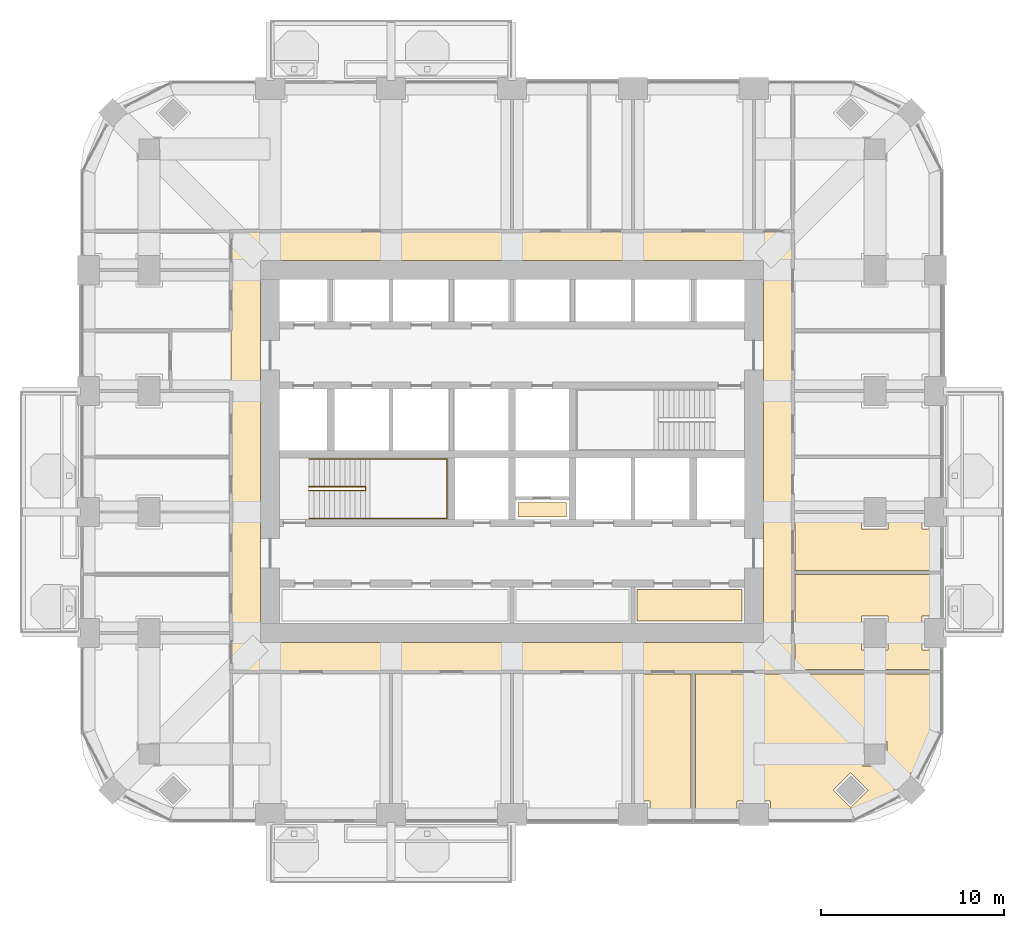
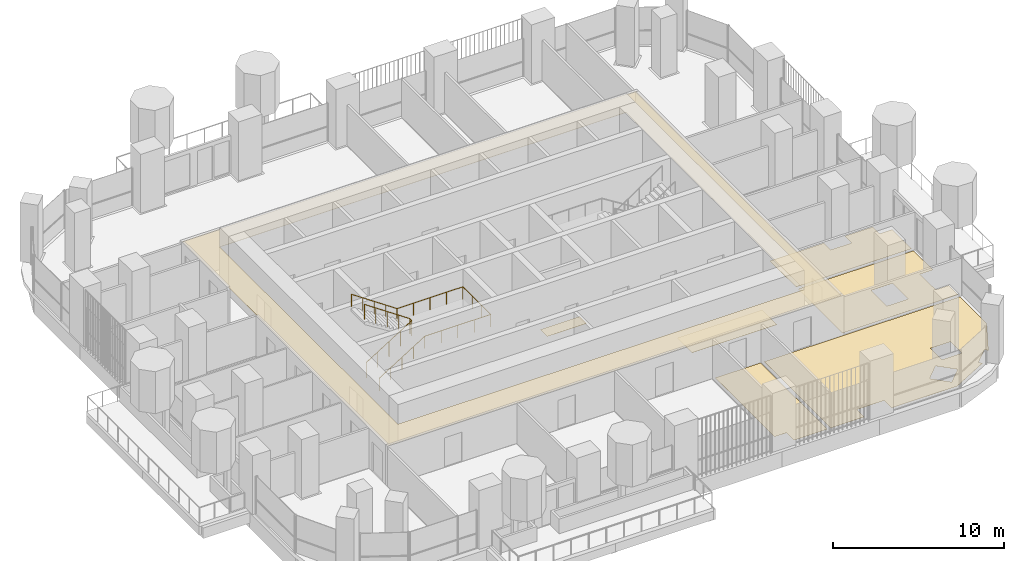
# One storey, part 17 of 20: 7 coverings, 2 railings.
"""IFC4 building model written with IfcOpenShell, lengths in metres."""

from ifc_helpers import new_model, si_unit, direction, frame, origin, place, context, subcontext, project, spatial, polyline, outline, extrude, material, layer, layer_set, type_object, element, save


model = new_model("IFC4")

# Units and contexts
model_context = context("Model", 3, precision=1e-05, world=origin(), true_north=direction((0.0, 1.0)))
body_context = subcontext(model_context, "Body", "Model", "MODEL_VIEW")
ifc_project = project(units=[si_unit("LENGTHUNIT", "METRE"), si_unit("AREAUNIT", "SQUARE_METRE"), si_unit("VOLUMEUNIT", "CUBIC_METRE"), si_unit("PLANEANGLEUNIT", "RADIAN"), si_unit("MASSUNIT", "GRAM", prefix="KILO")], contexts=[model_context])

# Site, building, storey
site_placement = place(None, origin())
site = spatial("IfcSite", under=ifc_project, at=site_placement, CompositionType="ELEMENT")
building_placement = place(site_placement, origin())
building = spatial("IfcBuilding", under=site, at=building_placement, Name="Cobogo Forest Laboratory Tower", CompositionType="ELEMENT")
storey_placement = place(building_placement, frame((0.0, 0.0, 185.10009765625)))
storey = spatial("IfcBuildingStorey", under=building, at=storey_placement, Name="L42", CompositionType="ELEMENT", Elevation=185.10009765625)

# Coverings
ifc_material_1 = material(Name="Mineral fibre ceiling tile", Category="ceiling")
ifc_layer_1 = layer(ifc_material_1, 0.02001953125)
ifc_layer_set_1 = layer_set([ifc_layer_1], Name="CL1 suspended ceiling")
covering_type_1 = type_object("IfcCoveringType", Name="CL1 suspended ceiling", PredefinedType="CEILING", material=ifc_layer_set_1)
covering_1_placement = place(storey_placement, frame((0.0, 0.0, 2.7998046875)))
element("IfcCovering", 1, at=covering_1_placement, inside=storey, type_object=covering_type_1, Name="Corridor ceiling L42", PredefinedType="CEILING", context=body_context, shape_type="SweptSolid", body=[
    extrude(outline(polyline([(11.074951171875, 11.074951171875), (11.074951171875, 35.125), (41.72509765625, 35.125), (41.72509765625, 11.074951171875), (11.074951171875, 11.074951171875)]), holes=[polyline([(40.125, 33.52490234375), (12.675048828125, 33.52490234375), (12.675048828125, 12.675048828125), (40.125, 12.675048828125), (40.125, 33.52490234375)])]), origin(), (0.0, 0.0, 1.0), 0.02001953125),
])
ifc_material_2 = material(Name="Carpet tile on raised access floor", Category="flooring")
ifc_layer_2 = layer(ifc_material_2, 0.008056640625)
ifc_layer_set_2 = layer_set([ifc_layer_2], Name="CT1 carpet tile floor 8")
covering_type_2 = type_object("IfcCoveringType", Name="CT1 carpet tile floor 8", PredefinedType="FLOORING", material=ifc_layer_set_2)
covering_2_placement = place(storey_placement, origin())
element("IfcCovering", 2, at=covering_2_placement, inside=storey, type_object=covering_type_2, Name="Carpet floor L42-31", PredefinedType="FLOORING", context=body_context, shape_type="SweptSolid", body=[
    extrude(outline(polyline([(29.3798828125, 19.52001953125), (26.719970703125, 19.52001953125), (26.719970703125, 20.330078125), (29.3798828125, 20.330078125), (29.3798828125, 19.52001953125)])), origin(), (0.0, 0.0, 1.0), 0.0078125),
])

# Railings
ifc_material_3 = material(Name="Steel balustrade", Category="steel")
railing_type_1 = type_object("IfcRailingType", Name="GR stair guard 1100", PredefinedType="GUARDRAIL", material=ifc_material_3)
railing_1_placement = place(storey_placement, frame((15.324951171875, 20.969970703125, 0.1748046875)))
element("IfcRailing", 3, at=railing_1_placement, inside=storey, type_object=railing_type_1, Name="Stair guard ST1 L42", PredefinedType="GUARDRAIL", context=body_context, shape_type="SweptSolid", body=[
    extrude(outline(polyline([(0.022216796875, 0.00927734375), (0.00927734375, 0.022216796875), (-0.00927734375, 0.022216796875), (-0.022216796875, 0.00927734375), (-0.022216796875, -0.00927734375), (-0.00927734375, -0.022216796875), (0.00927734375, -0.022216796875), (0.022216796875, -0.00927734375), (0.022216796875, 0.00927734375)])), frame((0.0, 0.0, 1.077880859375), z_axis=(0.847998304005, 0.0, 0.529998940003), x_axis=(0.0, 1.0, 0.0)), (0.0, 0.0, 1.0), 3.632080078125),
    extrude(outline(polyline([(0.022216796875, 0.00927734375), (0.00927734375, 0.022216796875), (-0.00927734375, 0.022216796875), (-0.022216796875, 0.00927734375), (-0.022216796875, -0.00927734375), (-0.00927734375, -0.022216796875), (0.00927734375, -0.022216796875), (0.022216796875, -0.00927734375), (0.022216796875, 0.00927734375)])), frame((3.080078125, 0.0, 3.0029296875), z_axis=(0.0, 1.0, 0.0), x_axis=(-1.0, 0.0, 0.0)), (0.0, 0.0, 1.0), 0.2099609375),
    extrude(outline(polyline([(0.022216796875, 0.00927734375), (0.00927734375, 0.022216796875), (-0.00927734375, 0.022216796875), (-0.022216796875, 0.00927734375), (-0.022216796875, -0.00927734375), (-0.00927734375, -0.022216796875), (0.00927734375, -0.022216796875), (0.022216796875, -0.00927734375), (0.022216796875, 0.00927734375)])), frame((3.080078125, 0.2099609375, 3.0029296875), z_axis=(-0.826221800596, 0.0, 0.563344953133), x_axis=(0.0, -1.0, 0.0)), (0.0, 0.0, 1.0), 3.72802734375),
    extrude(outline(polyline([(0.019287109375, 0.008056640625), (0.008056640625, 0.019287109375), (-0.008056640625, 0.019287109375), (-0.019287109375, 0.008056640625), (-0.019287109375, -0.008056640625), (-0.008056640625, -0.019287109375), (0.008056640625, -0.019287109375), (0.019287109375, -0.008056640625), (0.019287109375, 0.008056640625)])), origin(), (0.0, 0.0, 1.0), 1.077880859375),
    extrude(outline(polyline([(0.019287109375, 0.008056640625), (0.008056640625, 0.019287109375), (-0.008056640625, 0.019287109375), (-0.019287109375, 0.008056640625), (-0.019287109375, -0.008056640625), (-0.008056640625, -0.019287109375), (0.008056640625, -0.019287109375), (0.019287109375, -0.008056640625), (0.019287109375, 0.008056640625)])), frame((0.77001953125, 0.0, 0.481201171875)), (0.0, 0.0, 1.0), 1.077880859375),
    extrude(outline(polyline([(0.019287109375, 0.008056640625), (0.008056640625, 0.019287109375), (-0.008056640625, 0.019287109375), (-0.019287109375, 0.008056640625), (-0.019287109375, -0.008056640625), (-0.008056640625, -0.019287109375), (0.008056640625, -0.019287109375), (0.019287109375, -0.008056640625), (0.019287109375, 0.008056640625)])), frame((1.5400390625, 0.0, 0.96240234375)), (0.0, 0.0, 1.0), 1.077880859375),
    extrude(outline(polyline([(0.019287109375, 0.008056640625), (0.008056640625, 0.019287109375), (-0.008056640625, 0.019287109375), (-0.019287109375, 0.008056640625), (-0.019287109375, -0.008056640625), (-0.008056640625, -0.019287109375), (0.008056640625, -0.019287109375), (0.019287109375, -0.008056640625), (0.019287109375, 0.008056640625)])), frame((2.31005859375, 0.0, 1.44384765625)), (0.0, 0.0, 1.0), 1.077880859375),
    extrude(outline(polyline([(0.019287109375, 0.008056640625), (0.008056640625, 0.019287109375), (-0.008056640625, 0.019287109375), (-0.019287109375, 0.008056640625), (-0.019287109375, -0.008056640625), (-0.008056640625, -0.019287109375), (0.008056640625, -0.019287109375), (0.019287109375, -0.008056640625), (0.019287109375, 0.008056640625)])), frame((3.080078125, 0.0, 1.925048828125)), (0.0, 0.0, 1.0), 1.077880859375),
    extrude(outline(polyline([(0.019287109375, 0.008056640625), (0.008056640625, 0.019287109375), (-0.008056640625, 0.019287109375), (-0.019287109375, 0.008056640625), (-0.019287109375, -0.008056640625), (-0.008056640625, -0.019287109375), (0.008056640625, -0.019287109375), (0.019287109375, -0.008056640625), (0.019287109375, 0.008056640625)])), frame((3.080078125, 0.2099609375, 1.925048828125)), (0.0, 0.0, 1.0), 1.077880859375),
    extrude(outline(polyline([(0.019287109375, 0.008056640625), (0.008056640625, 0.019287109375), (-0.008056640625, 0.019287109375), (-0.019287109375, 0.008056640625), (-0.019287109375, -0.008056640625), (-0.008056640625, -0.019287109375), (0.008056640625, -0.019287109375), (0.019287109375, -0.008056640625), (0.019287109375, 0.008056640625)])), frame((2.31005859375, 0.2099609375, 2.4501953125)), (0.0, 0.0, 1.0), 1.077880859375),
    extrude(outline(polyline([(0.019287109375, 0.008056640625), (0.008056640625, 0.019287109375), (-0.008056640625, 0.019287109375), (-0.019287109375, 0.008056640625), (-0.019287109375, -0.008056640625), (-0.008056640625, -0.019287109375), (0.008056640625, -0.019287109375), (0.019287109375, -0.008056640625), (0.019287109375, 0.008056640625)])), frame((1.5400390625, 0.2099609375, 2.97509765625)), (0.0, 0.0, 1.0), 1.077880859375),
    extrude(outline(polyline([(0.019287109375, 0.008056640625), (0.008056640625, 0.019287109375), (-0.008056640625, 0.019287109375), (-0.019287109375, 0.008056640625), (-0.019287109375, -0.008056640625), (-0.008056640625, -0.019287109375), (0.008056640625, -0.019287109375), (0.019287109375, -0.008056640625), (0.019287109375, 0.008056640625)])), frame((0.77001953125, 0.2099609375, 3.5)), (0.0, 0.0, 1.0), 1.077880859375),
    extrude(outline(polyline([(0.019287109375, 0.008056640625), (0.008056640625, 0.019287109375), (-0.008056640625, 0.019287109375), (-0.019287109375, 0.008056640625), (-0.019287109375, -0.008056640625), (-0.008056640625, -0.019287109375), (0.008056640625, -0.019287109375), (0.019287109375, -0.008056640625), (0.019287109375, 0.008056640625)])), frame((0.0, 0.2099609375, 4.025146484375)), (0.0, 0.0, 1.0), 1.077880859375),
])
ifc_material_4 = material(Name="Stainless steel handrail", Category="steel")
railing_type_2 = type_object("IfcRailingType", Name="HR handrail 900", PredefinedType="HANDRAIL", material=ifc_material_4)
railing_2_placement = place(storey_placement, frame((15.324951171875, 19.449951171875, 0.1748046875)))
element("IfcRailing", 4, at=railing_2_placement, inside=storey, type_object=railing_type_2, Name="Stair handrail ST1 L42", PredefinedType="HANDRAIL", context=body_context, shape_type="SweptSolid", body=[
    extrude(outline(polyline([(0.022216796875, 0.00927734375), (0.00927734375, 0.022216796875), (-0.00927734375, 0.022216796875), (-0.022216796875, 0.00927734375), (-0.022216796875, -0.00927734375), (-0.00927734375, -0.022216796875), (0.00927734375, -0.022216796875), (0.022216796875, -0.00927734375), (0.022216796875, 0.00927734375)])), frame((0.0, 0.0, 0.877685546875), z_axis=(0.847998304005, 0.0, 0.529998940003), x_axis=(0.0, 1.0, 0.0)), (0.0, 0.0, 1.0), 3.632080078125),
    extrude(outline(polyline([(0.022216796875, 0.00927734375), (0.00927734375, 0.022216796875), (-0.00927734375, 0.022216796875), (-0.022216796875, 0.00927734375), (-0.022216796875, -0.00927734375), (-0.00927734375, -0.022216796875), (0.00927734375, -0.022216796875), (0.022216796875, -0.00927734375), (0.022216796875, 0.00927734375)])), frame((3.080078125, 0.0, 2.802734375), z_axis=(1.0, 0.0, 0.0), x_axis=(0.0, 1.0, 0.0)), (0.0, 0.0, 1.0), 4.445068359375),
    extrude(outline(polyline([(0.022216796875, 0.00927734375), (0.00927734375, 0.022216796875), (-0.00927734375, 0.022216796875), (-0.022216796875, 0.00927734375), (-0.022216796875, -0.00927734375), (-0.00927734375, -0.022216796875), (0.00927734375, -0.022216796875), (0.022216796875, -0.00927734375), (0.022216796875, 0.00927734375)])), frame((7.525146484375, 0.0, 2.802734375), z_axis=(0.0, 1.0, 0.0), x_axis=(-1.0, 0.0, 0.0)), (0.0, 0.0, 1.0), 3.25),
    extrude(outline(polyline([(0.022216796875, 0.00927734375), (0.00927734375, 0.022216796875), (-0.00927734375, 0.022216796875), (-0.022216796875, 0.00927734375), (-0.022216796875, -0.00927734375), (-0.00927734375, -0.022216796875), (0.00927734375, -0.022216796875), (0.022216796875, -0.00927734375), (0.022216796875, 0.00927734375)])), frame((7.525146484375, 3.25, 2.802734375), z_axis=(-1.0, 0.0, 0.0), x_axis=(0.0, -1.0, 0.0)), (0.0, 0.0, 1.0), 4.445068359375),
    extrude(outline(polyline([(0.022216796875, 0.00927734375), (0.00927734375, 0.022216796875), (-0.00927734375, 0.022216796875), (-0.022216796875, 0.00927734375), (-0.022216796875, -0.00927734375), (-0.00927734375, -0.022216796875), (0.00927734375, -0.022216796875), (0.022216796875, -0.00927734375), (0.022216796875, 0.00927734375)])), frame((3.080078125, 3.25, 2.802734375), z_axis=(-0.826221800596, 0.0, 0.563344953133), x_axis=(0.0, -1.0, 0.0)), (0.0, 0.0, 1.0), 3.72802734375),
    extrude(outline(polyline([(0.019287109375, 0.008056640625), (0.008056640625, 0.019287109375), (-0.008056640625, 0.019287109375), (-0.019287109375, 0.008056640625), (-0.019287109375, -0.008056640625), (-0.008056640625, -0.019287109375), (0.008056640625, -0.019287109375), (0.019287109375, -0.008056640625), (0.019287109375, 0.008056640625)])), origin(), (0.0, 0.0, 1.0), 0.877685546875),
    extrude(outline(polyline([(0.019287109375, 0.008056640625), (0.008056640625, 0.019287109375), (-0.008056640625, 0.019287109375), (-0.019287109375, 0.008056640625), (-0.019287109375, -0.008056640625), (-0.008056640625, -0.019287109375), (0.008056640625, -0.019287109375), (0.019287109375, -0.008056640625), (0.019287109375, 0.008056640625)])), frame((0.77001953125, 0.0, 0.481201171875)), (0.0, 0.0, 1.0), 0.877685546875),
    extrude(outline(polyline([(0.019287109375, 0.008056640625), (0.008056640625, 0.019287109375), (-0.008056640625, 0.019287109375), (-0.019287109375, 0.008056640625), (-0.019287109375, -0.008056640625), (-0.008056640625, -0.019287109375), (0.008056640625, -0.019287109375), (0.019287109375, -0.008056640625), (0.019287109375, 0.008056640625)])), frame((1.5400390625, 0.0, 0.96240234375)), (0.0, 0.0, 1.0), 0.877685546875),
    extrude(outline(polyline([(0.019287109375, 0.008056640625), (0.008056640625, 0.019287109375), (-0.008056640625, 0.019287109375), (-0.019287109375, 0.008056640625), (-0.019287109375, -0.008056640625), (-0.008056640625, -0.019287109375), (0.008056640625, -0.019287109375), (0.019287109375, -0.008056640625), (0.019287109375, 0.008056640625)])), frame((2.31005859375, 0.0, 1.44384765625)), (0.0, 0.0, 1.0), 0.877685546875),
    extrude(outline(polyline([(0.019287109375, 0.008056640625), (0.008056640625, 0.019287109375), (-0.008056640625, 0.019287109375), (-0.019287109375, 0.008056640625), (-0.019287109375, -0.008056640625), (-0.008056640625, -0.019287109375), (0.008056640625, -0.019287109375), (0.019287109375, -0.008056640625), (0.019287109375, 0.008056640625)])), frame((3.080078125, 0.0, 1.925048828125)), (0.0, 0.0, 1.0), 0.877685546875),
    extrude(outline(polyline([(0.019287109375, 0.008056640625), (0.008056640625, 0.019287109375), (-0.008056640625, 0.019287109375), (-0.019287109375, 0.008056640625), (-0.019287109375, -0.008056640625), (-0.008056640625, -0.019287109375), (0.008056640625, -0.019287109375), (0.019287109375, -0.008056640625), (0.019287109375, 0.008056640625)])), frame((4.19140625, 0.0, 1.925048828125)), (0.0, 0.0, 1.0), 0.877685546875),
    extrude(outline(polyline([(0.019287109375, 0.008056640625), (0.008056640625, 0.019287109375), (-0.008056640625, 0.019287109375), (-0.019287109375, 0.008056640625), (-0.019287109375, -0.008056640625), (-0.008056640625, -0.019287109375), (0.008056640625, -0.019287109375), (0.019287109375, -0.008056640625), (0.019287109375, 0.008056640625)])), frame((5.302734375, 0.0, 1.925048828125)), (0.0, 0.0, 1.0), 0.877685546875),
    extrude(outline(polyline([(0.019287109375, 0.008056640625), (0.008056640625, 0.019287109375), (-0.008056640625, 0.019287109375), (-0.019287109375, 0.008056640625), (-0.019287109375, -0.008056640625), (-0.008056640625, -0.019287109375), (0.008056640625, -0.019287109375), (0.019287109375, -0.008056640625), (0.019287109375, 0.008056640625)])), frame((6.413818359375, 0.0, 1.925048828125)), (0.0, 0.0, 1.0), 0.877685546875),
    extrude(outline(polyline([(0.019287109375, 0.008056640625), (0.008056640625, 0.019287109375), (-0.008056640625, 0.019287109375), (-0.019287109375, 0.008056640625), (-0.019287109375, -0.008056640625), (-0.008056640625, -0.019287109375), (0.008056640625, -0.019287109375), (0.019287109375, -0.008056640625), (0.019287109375, 0.008056640625)])), frame((7.525146484375, 0.0, 1.925048828125)), (0.0, 0.0, 1.0), 0.877685546875),
    extrude(outline(polyline([(0.019287109375, 0.008056640625), (0.008056640625, 0.019287109375), (-0.008056640625, 0.019287109375), (-0.019287109375, 0.008056640625), (-0.019287109375, -0.008056640625), (-0.008056640625, -0.019287109375), (0.008056640625, -0.019287109375), (0.019287109375, -0.008056640625), (0.019287109375, 0.008056640625)])), frame((7.525146484375, 1.083251953125, 1.925048828125)), (0.0, 0.0, 1.0), 0.877685546875),
    extrude(outline(polyline([(0.019287109375, 0.008056640625), (0.008056640625, 0.019287109375), (-0.008056640625, 0.019287109375), (-0.019287109375, 0.008056640625), (-0.019287109375, -0.008056640625), (-0.008056640625, -0.019287109375), (0.008056640625, -0.019287109375), (0.019287109375, -0.008056640625), (0.019287109375, 0.008056640625)])), frame((7.525146484375, 2.166748046875, 1.925048828125)), (0.0, 0.0, 1.0), 0.877685546875),
    extrude(outline(polyline([(0.019287109375, 0.008056640625), (0.008056640625, 0.019287109375), (-0.008056640625, 0.019287109375), (-0.019287109375, 0.008056640625), (-0.019287109375, -0.008056640625), (-0.008056640625, -0.019287109375), (0.008056640625, -0.019287109375), (0.019287109375, -0.008056640625), (0.019287109375, 0.008056640625)])), frame((7.525146484375, 3.25, 1.925048828125)), (0.0, 0.0, 1.0), 0.877685546875),
    extrude(outline(polyline([(0.019287109375, 0.008056640625), (0.008056640625, 0.019287109375), (-0.008056640625, 0.019287109375), (-0.019287109375, 0.008056640625), (-0.019287109375, -0.008056640625), (-0.008056640625, -0.019287109375), (0.008056640625, -0.019287109375), (0.019287109375, -0.008056640625), (0.019287109375, 0.008056640625)])), frame((6.413818359375, 3.25, 1.925048828125)), (0.0, 0.0, 1.0), 0.877685546875),
    extrude(outline(polyline([(0.019287109375, 0.008056640625), (0.008056640625, 0.019287109375), (-0.008056640625, 0.019287109375), (-0.019287109375, 0.008056640625), (-0.019287109375, -0.008056640625), (-0.008056640625, -0.019287109375), (0.008056640625, -0.019287109375), (0.019287109375, -0.008056640625), (0.019287109375, 0.008056640625)])), frame((5.302734375, 3.25, 1.925048828125)), (0.0, 0.0, 1.0), 0.877685546875),
    extrude(outline(polyline([(0.019287109375, 0.008056640625), (0.008056640625, 0.019287109375), (-0.008056640625, 0.019287109375), (-0.019287109375, 0.008056640625), (-0.019287109375, -0.008056640625), (-0.008056640625, -0.019287109375), (0.008056640625, -0.019287109375), (0.019287109375, -0.008056640625), (0.019287109375, 0.008056640625)])), frame((4.19140625, 3.25, 1.925048828125)), (0.0, 0.0, 1.0), 0.877685546875),
    extrude(outline(polyline([(0.019287109375, 0.008056640625), (0.008056640625, 0.019287109375), (-0.008056640625, 0.019287109375), (-0.019287109375, 0.008056640625), (-0.019287109375, -0.008056640625), (-0.008056640625, -0.019287109375), (0.008056640625, -0.019287109375), (0.019287109375, -0.008056640625), (0.019287109375, 0.008056640625)])), frame((3.080078125, 3.25, 1.925048828125)), (0.0, 0.0, 1.0), 0.877685546875),
    extrude(outline(polyline([(0.019287109375, 0.008056640625), (0.008056640625, 0.019287109375), (-0.008056640625, 0.019287109375), (-0.019287109375, 0.008056640625), (-0.019287109375, -0.008056640625), (-0.008056640625, -0.019287109375), (0.008056640625, -0.019287109375), (0.019287109375, -0.008056640625), (0.019287109375, 0.008056640625)])), frame((2.31005859375, 3.25, 2.4501953125)), (0.0, 0.0, 1.0), 0.877685546875),
    extrude(outline(polyline([(0.019287109375, 0.008056640625), (0.008056640625, 0.019287109375), (-0.008056640625, 0.019287109375), (-0.019287109375, 0.008056640625), (-0.019287109375, -0.008056640625), (-0.008056640625, -0.019287109375), (0.008056640625, -0.019287109375), (0.019287109375, -0.008056640625), (0.019287109375, 0.008056640625)])), frame((1.5400390625, 3.25, 2.97509765625)), (0.0, 0.0, 1.0), 0.877685546875),
    extrude(outline(polyline([(0.019287109375, 0.008056640625), (0.008056640625, 0.019287109375), (-0.008056640625, 0.019287109375), (-0.019287109375, 0.008056640625), (-0.019287109375, -0.008056640625), (-0.008056640625, -0.019287109375), (0.008056640625, -0.019287109375), (0.019287109375, -0.008056640625), (0.019287109375, 0.008056640625)])), frame((0.77001953125, 3.25, 3.5)), (0.0, 0.0, 1.0), 0.877685546875),
    extrude(outline(polyline([(0.019287109375, 0.008056640625), (0.008056640625, 0.019287109375), (-0.008056640625, 0.019287109375), (-0.019287109375, 0.008056640625), (-0.019287109375, -0.008056640625), (-0.008056640625, -0.019287109375), (0.008056640625, -0.019287109375), (0.019287109375, -0.008056640625), (0.019287109375, 0.008056640625)])), frame((0.0, 3.25, 4.025146484375)), (0.0, 0.0, 1.0), 0.877685546875),
])

# Coverings
ifc_material_5 = material(Name="Static-dissipative vinyl flooring", Category="flooring")
ifc_layer_3 = layer(ifc_material_5, 0.0029296875)
ifc_layer_set_3 = layer_set([ifc_layer_3], Name="SD1 static-dissipative vinyl floor 3")
covering_type_3 = type_object("IfcCoveringType", Name="SD1 static-dissipative vinyl floor 3", PredefinedType="FLOORING", material=ifc_layer_set_3)
covering_3_placement = place(storey_placement, origin())
element("IfcCovering", 5, at=covering_3_placement, inside=storey, type_object=covering_type_3, Name="Static-dissipative floor L42-04", PredefinedType="FLOORING", context=body_context, shape_type="SweptSolid", body=[
    extrude(outline(polyline([(36.179931640625, 10.955078125), (36.179931640625, 3.14990234375), (33.919921875, 3.14990234375), (33.919921875, 4.02001953125), (33.1201171875, 4.02001953125), (33.1201171875, 10.955078125), (36.179931640625, 10.955078125)])), origin(), (0.0, 0.0, 1.0), 0.0029296875),
])
covering_4_placement = place(storey_placement, origin())
element("IfcCovering", 6, at=covering_4_placement, inside=storey, type_object=covering_type_3, Name="Static-dissipative floor L42-05", PredefinedType="FLOORING", context=body_context, shape_type="SweptSolid", body=[
    extrude(outline(polyline([(49.64990234375, 10.955078125), (49.64990234375, 7.84912109375), (48.359619140625, 5.387939453125), (48.181884765625, 5.5654296875), (47.234375, 4.617919921875), (47.412109375, 4.440185546875), (44.95068359375, 3.14990234375), (40.52001953125, 3.14990234375), (40.52001953125, 4.02001953125), (38.679931640625, 4.02001953125), (38.679931640625, 3.14990234375), (36.419921875, 3.14990234375), (36.419921875, 10.955078125), (49.64990234375, 10.955078125)]), holes=[polyline([(45.530029296875, 5.929931640625), (46.8701171875, 5.929931640625), (46.8701171875, 7.27001953125), (45.530029296875, 7.27001953125), (45.530029296875, 5.929931640625)]), polyline([(44.882080078125, 3.67041015625), (45.82958984375, 4.617919921875), (44.882080078125, 5.5654296875), (43.9345703125, 4.617919921875), (44.882080078125, 3.67041015625)])]), origin(), (0.0, 0.0, 1.0), 0.0029296875),
])
covering_5_placement = place(storey_placement, origin())
element("IfcCovering", 7, at=covering_5_placement, inside=storey, type_object=covering_type_3, Name="Static-dissipative floor L42-06", PredefinedType="FLOORING", context=body_context, shape_type="SweptSolid", body=[
    extrude(outline(polyline([(41.844970703125, 16.3798828125), (49.64990234375, 16.3798828125), (49.64990234375, 14.1201171875), (48.780029296875, 14.1201171875), (48.780029296875, 12.280029296875), (49.64990234375, 12.280029296875), (49.64990234375, 11.195068359375), (41.844970703125, 11.195068359375), (41.844970703125, 16.3798828125)]), holes=[polyline([(46.919921875, 12.280029296875), (46.919921875, 14.1201171875), (45.47998046875, 14.1201171875), (45.47998046875, 12.280029296875), (46.919921875, 12.280029296875)])]), origin(), (0.0, 0.0, 1.0), 0.0029296875),
])
covering_6_placement = place(storey_placement, origin())
element("IfcCovering", 8, at=covering_6_placement, inside=storey, type_object=covering_type_3, Name="Static-dissipative floor L42-07", PredefinedType="FLOORING", context=body_context, shape_type="SweptSolid", body=[
    extrude(outline(polyline([(41.844970703125, 19.679931640625), (45.47998046875, 19.679931640625), (45.47998046875, 18.8798828125), (46.919921875, 18.8798828125), (46.919921875, 19.679931640625), (48.780029296875, 19.679931640625), (48.780029296875, 18.8798828125), (49.64990234375, 18.8798828125), (49.64990234375, 16.6201171875), (41.844970703125, 16.6201171875), (41.844970703125, 19.679931640625)])), origin(), (0.0, 0.0, 1.0), 0.0029296875),
])
ifc_material_6 = material(Name="Ceramic floor tile", Category="flooring")
ifc_layer_4 = layer(ifc_material_6, 0.010009765625)
ifc_layer_set_4 = layer_set([ifc_layer_4], Name="TF1 ceramic tile floor 10")
covering_type_4 = type_object("IfcCoveringType", Name="TF1 ceramic tile floor 10", PredefinedType="FLOORING", material=ifc_layer_set_4)
covering_7_placement = place(storey_placement, origin())
element("IfcCovering", 9, at=covering_7_placement, inside=storey, type_object=covering_type_4, Name="Tile floor L42-35", PredefinedType="FLOORING", context=body_context, shape_type="SweptSolid", body=[
    extrude(outline(polyline([(38.955078125, 13.844970703125), (33.219970703125, 13.844970703125), (33.219970703125, 15.580078125), (38.955078125, 15.580078125), (38.955078125, 13.844970703125)])), origin(), (0.0, 0.0, 1.0), 0.010009765625),
])

save(model, "model.ifc")
